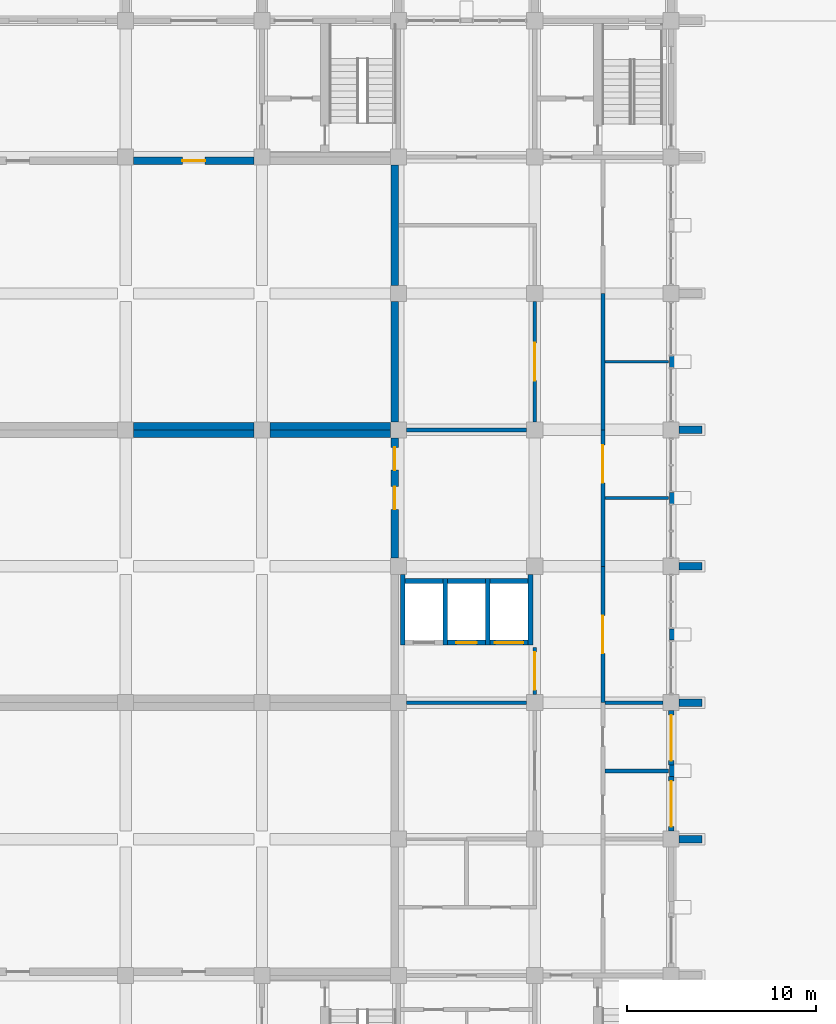
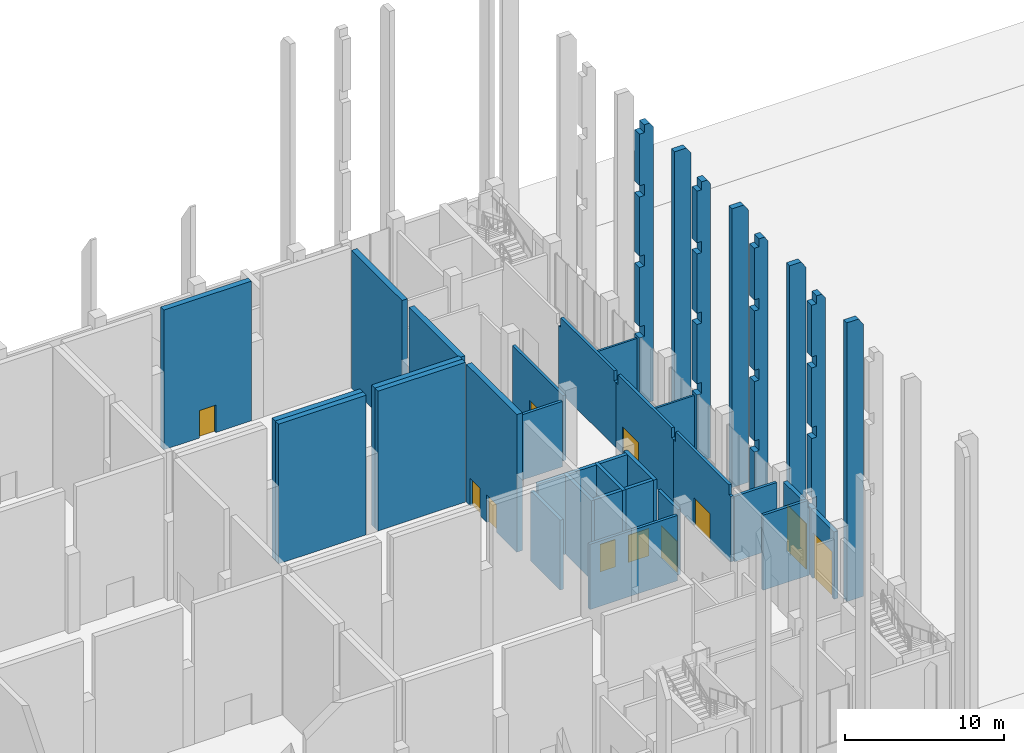
# One storey, part 38 of 50: 38 walls, 11 doors, 11 openings.
"""IFC4 building model written with IfcOpenShell, lengths in metres."""

from ifc_helpers import new_model, si_unit, direction, frame, frame_2d, origin, place, context, subcontext, project, spatial, polyline, rectangle, outline, extrude, material, layer, layer_set, type_object, element, fill, save


model = new_model("IFC4")

# Units and contexts
model_context = context("Model", 3, precision=1e-05, world=origin(), true_north=direction((0.0, 1.0)))
body_context = subcontext(model_context, "Body", "Model", "MODEL_VIEW")
ifc_project = project(units=[si_unit("LENGTHUNIT", "METRE"), si_unit("AREAUNIT", "SQUARE_METRE"), si_unit("VOLUMEUNIT", "CUBIC_METRE"), si_unit("PLANEANGLEUNIT", "RADIAN"), si_unit("MASSUNIT", "GRAM", prefix="KILO")], contexts=[model_context])

# Site, building, storey
site_placement = place(None, origin())
site = spatial("IfcSite", under=ifc_project, at=site_placement, CompositionType="ELEMENT")
building_placement = place(site_placement, origin())
building = spatial("IfcBuilding", under=site, at=building_placement, Name="Silangan Lancet Faculty of Sciences", CompositionType="ELEMENT")
storey_placement = place(building_placement, origin())
storey = spatial("IfcBuildingStorey", under=building, at=storey_placement, Name="L00", CompositionType="ELEMENT", Elevation=0.0)

# Wall, opening, door
ifc_material_1 = material(Name="Concrete C40/50 precast", Category="concrete")
ifc_layer_1 = layer(ifc_material_1, 0.300048828125)
ifc_layer_set_1 = layer_set([ifc_layer_1], Name="Concrete C40/50 precast")
wall_type_1 = type_object("IfcWallType", Name="EW1 Precast cladding wall", PredefinedType="STANDARD", material=ifc_layer_set_1)
wall_1_placement = place(storey_placement, frame((86.39990234375, 14.824951171875, 0.0), z_axis=(0.0, 0.0, 1.0), x_axis=(0.0, 1.0, 0.0)))
wall_1 = element("IfcWall", 1, at=wall_1_placement, inside=storey, type_object=wall_type_1, Name="EW-L00-E-EB-m02", PredefinedType="STANDARD", context=body_context, shape_type="SweptSolid", body=[
    extrude(rectangle(XDim=2.875, YDim=0.300048828125, at=frame_2d((1.4375, 0.0))), origin(), (0.0, 0.0, 1.0), 5.14990234375),
])
opening_1_placement = place(wall_1_placement, frame((0.237548828125, 0.0, 0.0)))
opening_1 = element("IfcOpeningElement", 2, at=opening_1_placement, cuts=wall_1, Name="Opening L00-917", PredefinedType="OPENING", context=body_context, shape_type="SweptSolid", body=[
    extrude(rectangle(XDim=2.39990234375, YDim=3.5, at=frame_2d((1.199951171875, 1.75))), frame((0.0, 0.159912109375, 0.0), z_axis=(0.0, -1.0, 0.0), x_axis=(1.0, 0.0, 0.0)), (0.0, 0.0, 1.0), 0.320068359375),
])
ifc_material_2 = material(Name="Steel roller shutter, insulated", Category="steel")
door_type_1 = type_object("IfcDoorType", Name="XD6 Loading dock door 2400 x 3500", OperationType="ROLLINGUP", PredefinedType="DOOR", material=ifc_material_2)
door_1_placement = place(opening_1_placement, frame((2.39990234375, 0.0, 0.0), z_axis=(0.0, 0.0, 1.0), x_axis=(-1.0, 0.0, 0.0)))
door_1 = element("IfcDoor", 3, at=door_1_placement, inside=storey, type_object=door_type_1, Name="DOOR-L00-917", OperationType="ROLLINGUP", OverallHeight=3.5, OverallWidth=2.39990234375, PredefinedType="DOOR", context=body_context, shape_type="SweptSolid", body=[
    extrude(rectangle(XDim=2.39990234375, YDim=3.5, at=frame_2d((1.199951171875, 1.75))), frame((0.0, 0.025146484375, 0.0), z_axis=(0.0, -1.0, 0.0), x_axis=(1.0, 0.0, 0.0)), (0.0, 0.0, 1.0), 0.050048828125),
])
fill(opening_1, door_1)

wall_2_placement = place(storey_placement, frame((86.39990234375, 18.300048828125, 0.0), z_axis=(0.0, 0.0, 1.0), x_axis=(0.0, 1.0, 0.0)))
wall_2 = element("IfcWall", 4, at=wall_2_placement, inside=storey, type_object=wall_type_1, Name="EW-L00-E-EB-m03", PredefinedType="STANDARD", context=body_context, shape_type="SweptSolid", body=[
    extrude(rectangle(XDim=2.875, YDim=0.300048828125, at=frame_2d((1.4375, 0.0))), origin(), (0.0, 0.0, 1.0), 5.14990234375),
])
opening_2_placement = place(wall_2_placement, frame((0.237548828125, 0.0, 0.0)))
opening_2 = element("IfcOpeningElement", 5, at=opening_2_placement, cuts=wall_2, Name="Opening L00-918", PredefinedType="OPENING", context=body_context, shape_type="SweptSolid", body=[
    extrude(rectangle(XDim=2.39990234375, YDim=3.5, at=frame_2d((1.199951171875, 1.75))), frame((0.0, 0.159912109375, 0.0), z_axis=(0.0, -1.0, 0.0), x_axis=(1.0, 0.0, 0.0)), (0.0, 0.0, 1.0), 0.320068359375),
])
door_2_placement = place(opening_2_placement, frame((2.39990234375, 0.0, 0.0), z_axis=(0.0, 0.0, 1.0), x_axis=(-1.0, 0.0, 0.0)))
door_2 = element("IfcDoor", 6, at=door_2_placement, inside=storey, type_object=door_type_1, Name="DOOR-L00-918", OperationType="ROLLINGUP", OverallHeight=3.5, OverallWidth=2.39990234375, PredefinedType="DOOR", context=body_context, shape_type="SweptSolid", body=[
    extrude(rectangle(XDim=2.39990234375, YDim=3.5, at=frame_2d((1.199951171875, 1.75))), frame((0.0, 0.025146484375, 0.0), z_axis=(0.0, -1.0, 0.0), x_axis=(1.0, 0.0, 0.0)), (0.0, 0.0, 1.0), 0.050048828125),
])
fill(opening_2, door_2)

# Walls
ifc_material_3 = material(Name="Concrete C40/50 precast", Category="concrete")
ifc_layer_2 = layer(ifc_material_3, 0.60009765625)
ifc_layer_set_2 = layer_set([ifc_layer_2], Name="Concrete C40/50 precast")
wall_type_2 = type_object("IfcWallType", Name="FN1 Buttress Fin mid-bay stage 1 21350", PredefinedType="POLYGONAL", material=ifc_layer_set_2)
for number, where, z_axis, x_axis, name in (
    (7, (86.300048828125, 18.0, 0.0), (0.0, 0.0, 1.0), (1.0, 0.0, 0.0), "FIN-E-EB-3"),
    (8, (86.300048828125, 25.199951171875, 0.0), (0.0, 0.0, 1.0), (1.0, 0.0, 0.0), "FIN-E-EB-5"),
    (9, (86.300048828125, 32.39990234375, 0.0), (0.0, 0.0, 1.0), (1.0, 0.0, 0.0), "FIN-E-EB-7"),
    (10, (86.300048828125, 39.60009765625, 0.0), (0.0, 0.0, 1.0), (1.0, 0.0, 0.0), "FIN-E-EB-9"),
):
    element("IfcWall", number, at=place(storey_placement, frame(where, z_axis=z_axis, x_axis=x_axis)), inside=storey, type_object=wall_type_2, Name=name, PredefinedType="POLYGONAL", context=body_context, shape_type="SweptSolid", body=[
        extrude(outline(polyline([(1.0, 0.0), (1.0, 20.97509765625), (0.75, 21.35009765625), (0.35009765625, 21.35009765625), (0.35009765625, 20.75), (0.0, 20.75), (0.0, 16.800048828125), (0.35009765625, 16.800048828125), (0.35009765625, 15.949951171875), (0.0, 15.949951171875), (0.0, 11.39990234375), (0.35009765625, 11.39990234375), (0.35009765625, 10.550048828125), (0.0, 10.550048828125), (0.0, 6.0), (0.35009765625, 6.0), (0.35009765625, 5.14990234375), (0.0, 5.14990234375), (0.0, 0.0), (1.0, 0.0)])), frame((0.0, 0.300048828125, 0.0), z_axis=(0.0, -1.0, 0.0), x_axis=(1.0, 0.0, 0.0)), (0.0, 0.0, 1.0), 0.60009765625),
    ])
ifc_material_4 = material(Name="Concrete C40/50 precast", Category="concrete")
ifc_layer_3 = layer(ifc_material_4, 0.39990234375)
ifc_layer_set_3 = layer_set([ifc_layer_3], Name="Concrete C40/50 precast")
wall_type_3 = type_object("IfcWallType", Name="FN55 Buttress Fin column line stage 1 21350", PredefinedType="POLYGONAL", material=ifc_layer_set_3)
for number, where, z_axis, x_axis, name in (
    (11, (86.824951171875, 14.39990234375, 0.0), (0.0, 0.0, 1.0), (1.0, 0.0, 0.0), "FINC-E-EB-03"),
    (12, (86.824951171875, 21.60009765625, 0.0), (0.0, 0.0, 1.0), (1.0, 0.0, 0.0), "FINC-E-EB-04"),
    (13, (86.824951171875, 28.800048828125, 0.0), (0.0, 0.0, 1.0), (1.0, 0.0, 0.0), "FINC-E-EB-05"),
    (14, (86.824951171875, 36.0, 0.0), (0.0, 0.0, 1.0), (1.0, 0.0, 0.0), "FINC-E-EB-06"),
):
    element("IfcWall", number, at=place(storey_placement, frame(where, z_axis=z_axis, x_axis=x_axis)), inside=storey, type_object=wall_type_3, Name=name, PredefinedType="POLYGONAL", context=body_context, shape_type="SweptSolid", body=[
        extrude(outline(polyline([(1.199951171875, 0.0), (1.199951171875, 20.824951171875), (0.85009765625, 21.35009765625), (0.0, 21.35009765625), (0.0, 0.0), (1.199951171875, 0.0)])), frame((0.0, 0.199951171875, 0.0), z_axis=(0.0, -1.0, 0.0), x_axis=(1.0, 0.0, 0.0)), (0.0, 0.0, 1.0), 0.39990234375),
    ])
ifc_material_5 = material(Name="Hollow block masonry fm 7 MPa", Category="masonry")
ifc_layer_4 = layer(ifc_material_5, 0.199951171875)
ifc_layer_set_4 = layer_set([ifc_layer_4], Name="Hollow block masonry fm 7 MPa")
wall_type_4 = type_object("IfcWallType", Name="Interior wall PW1 Corridor wall CHB 200", PredefinedType="PARTITIONING", material=ifc_layer_set_4)
wall_3_placement = place(storey_placement, frame((72.425048828125, 36.0, 0.0), z_axis=(0.0, 0.0, 1.0), x_axis=(1.0, 0.0, 0.0)))
element("IfcWall", 15, at=wall_3_placement, inside=storey, type_object=wall_type_4, Name="Corridor wall CHB 200", PredefinedType="PARTITIONING", context=body_context, shape_type="SweptSolid", body=[
    extrude(rectangle(XDim=6.349853515625, YDim=0.199951171875, at=frame_2d((3.1748046875, 0.0))), origin(), (0.0, 0.0, 1.0), 5.0),
])

# Wall, opening, door
wall_4_placement = place(storey_placement, frame((79.199951171875, 36.425048828125, 0.0), z_axis=(0.0, 0.0, 1.0), x_axis=(0.0, 1.0, 0.0)))
wall_4 = element("IfcWall", 16, at=wall_4_placement, inside=storey, type_object=wall_type_4, Name="Corridor wall CHB 200", PredefinedType="PARTITIONING", context=body_context, shape_type="SweptSolid", body=[
    extrude(rectangle(XDim=6.349853515625, YDim=0.199951171875, at=frame_2d((3.1748046875, 0.0))), origin(), (0.0, 0.0, 1.0), 5.0),
])
opening_3_placement = place(wall_4_placement, frame((2.175048828125, 0.0, 0.0)))
opening_3 = element("IfcOpeningElement", 17, at=opening_3_placement, cuts=wall_4, Name="Opening L00-027", PredefinedType="OPENING", context=body_context, shape_type="SweptSolid", body=[
    extrude(rectangle(XDim=2.0, YDim=2.10009765625, at=frame_2d((1.0, 1.050048828125))), frame((0.0, 0.10986328125, 0.0), z_axis=(0.0, -1.0, 0.0), x_axis=(1.0, 0.0, 0.0)), (0.0, 0.0, 1.0), 0.219970703125),
])
ifc_material_6 = material(Name="Steel fire door set", Category="steel")
door_type_2 = type_object("IfcDoorType", Name="Door D4 Double leaf fire door 2000 x 2100", OperationType="DOUBLE_DOOR_SINGLE_SWING", PredefinedType="DOOR", material=ifc_material_6)
door_3_placement = place(opening_3_placement, origin())
door_3 = element("IfcDoor", 18, at=door_3_placement, inside=storey, type_object=door_type_2, Name="Double leaf fire door 2000 x 2100", OperationType="DOUBLE_DOOR_SINGLE_SWING", OverallHeight=2.10009765625, OverallWidth=2.0, PredefinedType="DOOR", context=body_context, shape_type="SweptSolid", body=[
    extrude(rectangle(XDim=2.0, YDim=2.10009765625, at=frame_2d((1.0, 1.050048828125))), frame((0.0, 0.02490234375, 0.0), z_axis=(0.0, -1.0, 0.0), x_axis=(1.0, 0.0, 0.0)), (0.0, 0.0, 1.0), 0.050048828125),
])
fill(opening_3, door_3)

wall_5_placement = place(storey_placement, frame((82.800048828125, 21.60009765625, 0.0), z_axis=(0.0, 0.0, 1.0), x_axis=(0.0, 1.0, 0.0)))
wall_5 = element("IfcWall", 19, at=wall_5_placement, inside=storey, type_object=wall_type_4, Name="Corridor wall CHB 200", PredefinedType="PARTITIONING", context=body_context, shape_type="SweptSolid", body=[
    extrude(outline(polyline([(0.0, 0.0), (7.199951171875, 0.0), (7.199951171875, 5.0), (6.949951171875, 5.0), (6.949951171875, 5.75), (0.25, 5.75), (0.25, 5.0), (0.0, 5.0), (0.0, 0.0)])), frame((0.0, 0.10009765625, 0.0), z_axis=(0.0, -1.0, 0.0), x_axis=(1.0, 0.0, 0.0)), (0.0, 0.0, 1.0), 0.199951171875),
])
opening_4_placement = place(wall_5_placement, frame((2.60009765625, 0.0, 0.0)))
opening_4 = element("IfcOpeningElement", 20, at=opening_4_placement, cuts=wall_5, Name="Opening L00-032", PredefinedType="OPENING", context=body_context, shape_type="SweptSolid", body=[
    extrude(rectangle(XDim=2.0, YDim=2.10009765625, at=frame_2d((1.0, 1.050048828125))), frame((0.0, 0.10986328125, 0.0), z_axis=(0.0, -1.0, 0.0), x_axis=(1.0, 0.0, 0.0)), (0.0, 0.0, 1.0), 0.219970703125),
])
door_4_placement = place(opening_4_placement, origin())
door_4 = element("IfcDoor", 21, at=door_4_placement, inside=storey, type_object=door_type_2, Name="Double leaf fire door 2000 x 2100", OperationType="DOUBLE_DOOR_SINGLE_SWING", OverallHeight=2.10009765625, OverallWidth=2.0, PredefinedType="DOOR", context=body_context, shape_type="SweptSolid", body=[
    extrude(rectangle(XDim=2.0, YDim=2.10009765625, at=frame_2d((1.0, 1.050048828125))), frame((0.0, 0.02490234375, 0.0), z_axis=(0.0, -1.0, 0.0), x_axis=(1.0, 0.0, 0.0)), (0.0, 0.0, 1.0), 0.050048828125),
])
fill(opening_4, door_4)

wall_6_placement = place(storey_placement, frame((82.800048828125, 28.800048828125, 0.0), z_axis=(0.0, 0.0, 1.0), x_axis=(0.0, 1.0, 0.0)))
wall_6 = element("IfcWall", 22, at=wall_6_placement, inside=storey, type_object=wall_type_4, Name="Corridor wall CHB 200", PredefinedType="PARTITIONING", context=body_context, shape_type="SweptSolid", body=[
    extrude(outline(polyline([(0.0, 0.0), (7.199951171875, 0.0), (7.199951171875, 5.0), (6.949951171875, 5.0), (6.949951171875, 5.75), (0.25, 5.75), (0.25, 5.0), (0.0, 5.0), (0.0, 0.0)])), frame((0.0, 0.10009765625, 0.0), z_axis=(0.0, -1.0, 0.0), x_axis=(1.0, 0.0, 0.0)), (0.0, 0.0, 1.0), 0.199951171875),
])
opening_5_placement = place(wall_6_placement, frame((4.39990234375, 0.0, 0.0)))
opening_5 = element("IfcOpeningElement", 23, at=opening_5_placement, cuts=wall_6, Name="Opening L00-033", PredefinedType="OPENING", context=body_context, shape_type="SweptSolid", body=[
    extrude(rectangle(XDim=2.0, YDim=2.10009765625, at=frame_2d((1.0, 1.050048828125))), frame((0.0, 0.10986328125, 0.0), z_axis=(0.0, -1.0, 0.0), x_axis=(1.0, 0.0, 0.0)), (0.0, 0.0, 1.0), 0.219970703125),
])
door_5_placement = place(opening_5_placement, origin())
door_5 = element("IfcDoor", 24, at=door_5_placement, inside=storey, type_object=door_type_2, Name="Double leaf fire door 2000 x 2100", OperationType="DOUBLE_DOOR_SINGLE_SWING", OverallHeight=2.10009765625, OverallWidth=2.0, PredefinedType="DOOR", context=body_context, shape_type="SweptSolid", body=[
    extrude(rectangle(XDim=2.0, YDim=2.10009765625, at=frame_2d((1.0, 1.050048828125))), frame((0.0, 0.02490234375, 0.0), z_axis=(0.0, -1.0, 0.0), x_axis=(1.0, 0.0, 0.0)), (0.0, 0.0, 1.0), 0.050048828125),
])
fill(opening_5, door_5)

# Walls
wall_7_placement = place(storey_placement, frame((82.800048828125, 36.0, 0.0), z_axis=(0.0, 0.0, 1.0), x_axis=(0.0, 1.0, 0.0)))
element("IfcWall", 25, at=wall_7_placement, inside=storey, type_object=wall_type_4, Name="Corridor wall CHB 200", PredefinedType="PARTITIONING", context=body_context, shape_type="SweptSolid", body=[
    extrude(outline(polyline([(0.0, 0.0), (7.199951171875, 0.0), (7.199951171875, 5.0), (6.949951171875, 5.0), (6.949951171875, 5.75), (0.25, 5.75), (0.25, 5.0), (0.0, 5.0), (0.0, 0.0)])), frame((0.0, 0.10009765625, 0.0), z_axis=(0.0, -1.0, 0.0), x_axis=(1.0, 0.0, 0.0)), (0.0, 0.0, 1.0), 0.199951171875),
])
ifc_material_7 = material(Name="Concrete C35/45", Category="concrete")
ifc_layer_5 = layer(ifc_material_7, 0.39990234375)
ifc_layer_set_5 = layer_set([ifc_layer_5], Name="Concrete C35/45")
wall_type_5 = type_object("IfcWallType", Name="Interior wall PW10 Theatre box wall RC 400", PredefinedType="SOLIDWALL", material=ifc_layer_set_5)
wall_8_placement = place(storey_placement, frame((58.02490234375, 35.800048828125, 0.0), z_axis=(0.0, 0.0, 1.0), x_axis=(1.0, 0.0, 0.0)))
element("IfcWall", 26, at=wall_8_placement, inside=storey, type_object=wall_type_5, Name="Theatre box wall RC 400", PredefinedType="SOLIDWALL", context=body_context, shape_type="SweptSolid", body=[
    extrude(rectangle(XDim=6.35009765625, YDim=0.39990234375, at=frame_2d((3.175048828125, 0.0))), origin(), (0.0, 0.0, 1.0), 10.699951171875),
])
wall_9_placement = place(storey_placement, frame((65.22509765625, 35.800048828125, 0.0), z_axis=(0.0, 0.0, 1.0), x_axis=(1.0, 0.0, 0.0)))
element("IfcWall", 27, at=wall_9_placement, inside=storey, type_object=wall_type_5, Name="Theatre box wall RC 400", PredefinedType="SOLIDWALL", context=body_context, shape_type="SweptSolid", body=[
    extrude(rectangle(XDim=6.349853515625, YDim=0.39990234375, at=frame_2d((3.1748046875, 0.0))), origin(), (0.0, 0.0, 1.0), 10.699951171875),
])
wall_10_placement = place(storey_placement, frame((58.02490234375, 36.199951171875, 0.0), z_axis=(0.0, 0.0, 1.0), x_axis=(1.0, 0.0, 0.0)))
element("IfcWall", 28, at=wall_10_placement, inside=storey, type_object=wall_type_5, Name="Theatre box wall RC 400", PredefinedType="SOLIDWALL", context=body_context, shape_type="SweptSolid", body=[
    extrude(rectangle(XDim=6.35009765625, YDim=0.39990234375, at=frame_2d((3.175048828125, 0.0))), origin(), (0.0, 0.0, 1.0), 10.699951171875),
])
wall_11_placement = place(storey_placement, frame((65.22509765625, 36.199951171875, 0.0), z_axis=(0.0, 0.0, 1.0), x_axis=(1.0, 0.0, 0.0)))
element("IfcWall", 29, at=wall_11_placement, inside=storey, type_object=wall_type_5, Name="Theatre box wall RC 400", PredefinedType="SOLIDWALL", context=body_context, shape_type="SweptSolid", body=[
    extrude(rectangle(XDim=6.349853515625, YDim=0.39990234375, at=frame_2d((3.1748046875, 0.0))), origin(), (0.0, 0.0, 1.0), 10.699951171875),
])

# Wall, opening, door
wall_12_placement = place(storey_placement, frame((58.02490234375, 50.199951171875, 0.0), z_axis=(0.0, 0.0, 1.0), x_axis=(1.0, 0.0, 0.0)))
wall_12 = element("IfcWall", 30, at=wall_12_placement, inside=storey, type_object=wall_type_5, Name="Theatre box wall RC 400", PredefinedType="SOLIDWALL", context=body_context, shape_type="SweptSolid", body=[
    extrude(rectangle(XDim=6.35009765625, YDim=0.39990234375, at=frame_2d((3.175048828125, 0.0))), origin(), (0.0, 0.0, 1.0), 10.699951171875),
])
opening_6_placement = place(wall_12_placement, frame((2.574951171875, 0.0, 0.0)))
opening_6 = element("IfcOpeningElement", 31, at=opening_6_placement, cuts=wall_12, Name="Opening L00-015", PredefinedType="OPENING", context=body_context, shape_type="SweptSolid", body=[
    extrude(rectangle(XDim=1.199951171875, YDim=2.10009765625, at=frame_2d((0.60009765625, 1.050048828125))), frame((0.0, 0.2099609375, 0.0), z_axis=(0.0, -1.0, 0.0), x_axis=(1.0, 0.0, 0.0)), (0.0, 0.0, 1.0), 0.419921875),
])
ifc_material_8 = material(Name="Steel fire door set", Category="steel")
door_type_3 = type_object("IfcDoorType", Name="Door D3 Theatre exit door 1200 x 2100", OperationType="SINGLE_SWING_RIGHT", PredefinedType="DOOR", material=ifc_material_8)
door_6_placement = place(opening_6_placement, origin())
door_6 = element("IfcDoor", 32, at=door_6_placement, inside=storey, type_object=door_type_3, Name="Theatre exit door 1200 x 2100", OperationType="SINGLE_SWING_RIGHT", OverallHeight=2.10009765625, OverallWidth=1.199951171875, PredefinedType="DOOR", context=body_context, shape_type="SweptSolid", body=[
    extrude(rectangle(XDim=1.199951171875, YDim=2.10009765625, at=frame_2d((0.60009765625, 1.050048828125))), frame((0.0, 0.02490234375, 0.0), z_axis=(0.0, -1.0, 0.0), x_axis=(1.0, 0.0, 0.0)), (0.0, 0.0, 1.0), 0.050048828125),
])
fill(opening_6, door_6)

# Wall, openings, doors
wall_13_placement = place(storey_placement, frame((71.800048828125, 29.22509765625, 0.0), z_axis=(0.0, 0.0, 1.0), x_axis=(0.0, 1.0, 0.0)))
wall_13 = element("IfcWall", 33, at=wall_13_placement, inside=storey, type_object=wall_type_5, Name="Theatre box wall RC 400", PredefinedType="SOLIDWALL", context=body_context, shape_type="SweptSolid", body=[
    extrude(rectangle(XDim=6.349853515625, YDim=0.39990234375, at=frame_2d((3.1748046875, 0.0))), origin(), (0.0, 0.0, 1.0), 10.550048828125),
])
opening_7_placement = place(wall_13_placement, frame((2.574951171875, 0.0, 0.0)))
opening_7 = element("IfcOpeningElement", 34, at=opening_7_placement, cuts=wall_13, Name="Opening L00-020", PredefinedType="OPENING", context=body_context, shape_type="SweptSolid", body=[
    extrude(rectangle(XDim=1.199951171875, YDim=2.10009765625, at=frame_2d((0.60009765625, 1.050048828125))), frame((0.0, 0.2099609375, 0.0), z_axis=(0.0, -1.0, 0.0), x_axis=(1.0, 0.0, 0.0)), (0.0, 0.0, 1.0), 0.419921875),
])
opening_8_placement = place(wall_13_placement, frame((4.64990234375, 0.0, 0.0)))
opening_8 = element("IfcOpeningElement", 35, at=opening_8_placement, cuts=wall_13, Name="Opening L00-021", PredefinedType="OPENING", context=body_context, shape_type="SweptSolid", body=[
    extrude(rectangle(XDim=1.199951171875, YDim=2.10009765625, at=frame_2d((0.60009765625, 1.050048828125))), frame((0.0, 0.2099609375, 0.0), z_axis=(0.0, -1.0, 0.0), x_axis=(1.0, 0.0, 0.0)), (0.0, 0.0, 1.0), 0.419921875),
])
door_7_placement = place(opening_7_placement, frame((1.199951171875, 0.0, 0.0), z_axis=(0.0, 0.0, 1.0), x_axis=(-1.0, 0.0, 0.0)))
door_7 = element("IfcDoor", 36, at=door_7_placement, inside=storey, type_object=door_type_3, Name="Theatre exit door 1200 x 2100", OperationType="SINGLE_SWING_LEFT", OverallHeight=2.10009765625, OverallWidth=1.199951171875, PredefinedType="DOOR", context=body_context, shape_type="SweptSolid", body=[
    extrude(rectangle(XDim=1.199951171875, YDim=2.10009765625, at=frame_2d((0.60009765625, 1.050048828125))), frame((0.0, 0.025146484375, 0.0), z_axis=(0.0, -1.0, 0.0), x_axis=(1.0, 0.0, 0.0)), (0.0, 0.0, 1.0), 0.050048828125),
])
fill(opening_7, door_7)
door_8_placement = place(opening_8_placement, frame((1.199951171875, 0.0, 0.0), z_axis=(0.0, 0.0, 1.0), x_axis=(-1.0, 0.0, 0.0)))
door_8 = element("IfcDoor", 37, at=door_8_placement, inside=storey, type_object=door_type_3, Name="Theatre exit door 1200 x 2100", OperationType="SINGLE_SWING_LEFT", OverallHeight=2.10009765625, OverallWidth=1.199951171875, PredefinedType="DOOR", context=body_context, shape_type="SweptSolid", body=[
    extrude(rectangle(XDim=1.199951171875, YDim=2.10009765625, at=frame_2d((0.60009765625, 1.050048828125))), frame((0.0, 0.025146484375, 0.0), z_axis=(0.0, -1.0, 0.0), x_axis=(1.0, 0.0, 0.0)), (0.0, 0.0, 1.0), 0.050048828125),
])
fill(opening_8, door_8)

# Walls
wall_14_placement = place(storey_placement, frame((71.800048828125, 36.425048828125, 0.0), z_axis=(0.0, 0.0, 1.0), x_axis=(0.0, 1.0, 0.0)))
element("IfcWall", 38, at=wall_14_placement, inside=storey, type_object=wall_type_5, Name="Theatre box wall RC 400", PredefinedType="SOLIDWALL", context=body_context, shape_type="SweptSolid", body=[
    extrude(rectangle(XDim=6.349853515625, YDim=0.39990234375, at=frame_2d((3.1748046875, 0.0))), origin(), (0.0, 0.0, 1.0), 10.550048828125),
])
wall_15_placement = place(storey_placement, frame((71.800048828125, 43.625, 0.0), z_axis=(0.0, 0.0, 1.0), x_axis=(0.0, 1.0, 0.0)))
element("IfcWall", 39, at=wall_15_placement, inside=storey, type_object=wall_type_5, Name="Theatre box wall RC 400", PredefinedType="SOLIDWALL", context=body_context, shape_type="SweptSolid", body=[
    extrude(rectangle(XDim=6.35009765625, YDim=0.39990234375, at=frame_2d((3.175048828125, 0.0))), origin(), (0.0, 0.0, 1.0), 10.550048828125),
])
ifc_material_9 = material(Name="Hollow block masonry fm 7 MPa", Category="masonry")
ifc_layer_6 = layer(ifc_material_9, 0.14990234375)
ifc_layer_set_6 = layer_set([ifc_layer_6], Name="Hollow block masonry fm 7 MPa")
wall_type_6 = type_object("IfcWallType", Name="Interior wall PW3 Partition CHB 150", PredefinedType="PARTITIONING", material=ifc_layer_set_6)
for number, where, z_axis, x_axis, name in (
    (40, (82.89990234375, 32.39990234375, 0.0), (0.0, 0.0, 1.0), (1.0, 0.0, 0.0), "Partition CHB 150"),
    (41, (82.89990234375, 39.60009765625, 0.0), (0.0, 0.0, 1.0), (1.0, 0.0, 0.0), "Partition CHB 150"),
):
    element("IfcWall", number, at=place(storey_placement, frame(where, z_axis=z_axis, x_axis=x_axis)), inside=storey, type_object=wall_type_6, Name=name, PredefinedType="PARTITIONING", context=body_context, shape_type="SweptSolid", body=[
        extrude(rectangle(XDim=3.35009765625, YDim=0.14990234375, at=frame_2d((1.675048828125, 0.0))), origin(), (0.0, 0.0, 1.0), 5.0),
    ])
ifc_material_10 = material(Name="Hollow block masonry fm 7 MPa", Category="masonry")
ifc_layer_7 = layer(ifc_material_10, 0.199951171875)
ifc_layer_set_7 = layer_set([ifc_layer_7], Name="Hollow block masonry fm 7 MPa")
wall_type_7 = type_object("IfcWallType", Name="Interior wall PW4 Laboratory separation CHB 200", PredefinedType="PARTITIONING", material=ifc_layer_set_7)
wall_16_placement = place(storey_placement, frame((82.89990234375, 18.0, 0.0), z_axis=(0.0, 0.0, 1.0), x_axis=(1.0, 0.0, 0.0)))
element("IfcWall", 42, at=wall_16_placement, inside=storey, type_object=wall_type_7, Name="Laboratory separation CHB 200", PredefinedType="PARTITIONING", context=body_context, shape_type="SweptSolid", body=[
    extrude(outline(polyline([(0.0, 0.0), (3.35009765625, 0.0), (3.35009765625, 5.14990234375), (3.25, 5.14990234375), (3.25, 5.75), (0.0, 5.75), (0.0, 0.0)])), frame((0.0, 0.10009765625, 0.0), z_axis=(0.0, -1.0, 0.0), x_axis=(1.0, 0.0, 0.0)), (0.0, 0.0, 1.0), 0.199951171875),
])
wall_17_placement = place(storey_placement, frame((82.89990234375, 21.60009765625, 0.0), z_axis=(0.0, 0.0, 1.0), x_axis=(1.0, 0.0, 0.0)))
element("IfcWall", 43, at=wall_17_placement, inside=storey, type_object=wall_type_7, Name="Laboratory separation CHB 200", PredefinedType="PARTITIONING", context=body_context, shape_type="SweptSolid", body=[
    extrude(rectangle(XDim=3.0751953125, YDim=0.199951171875, at=frame_2d((1.53759765625, 0.0))), origin(), (0.0, 0.0, 1.0), 5.0),
])
ifc_material_11 = material(Name="Hollow block masonry fm 7 MPa", Category="masonry")
ifc_layer_8 = layer(ifc_material_11, 0.199951171875)
ifc_layer_set_8 = layer_set([ifc_layer_8], Name="Hollow block masonry fm 7 MPa")
wall_type_8 = type_object("IfcWallType", Name="Interior wall PW9 Lift lobby wall CHB 200", PredefinedType="PARTITIONING", material=ifc_layer_set_8)
wall_18_placement = place(storey_placement, frame((72.425048828125, 21.60009765625, 0.0), z_axis=(0.0, 0.0, 1.0), x_axis=(1.0, 0.0, 0.0)))
element("IfcWall", 44, at=wall_18_placement, inside=storey, type_object=wall_type_8, Name="Lift lobby wall CHB 200", PredefinedType="PARTITIONING", context=body_context, shape_type="SweptSolid", body=[
    extrude(rectangle(XDim=6.349853515625, YDim=0.199951171875, at=frame_2d((3.1748046875, 0.0))), origin(), (0.0, 0.0, 1.0), 5.0),
])

# Wall, opening, door
wall_19_placement = place(storey_placement, frame((79.199951171875, 22.02490234375, 0.0), z_axis=(0.0, 0.0, 1.0), x_axis=(0.0, 1.0, 0.0)))
wall_19 = element("IfcWall", 45, at=wall_19_placement, inside=storey, type_object=wall_type_8, Name="Lift lobby wall CHB 200", PredefinedType="PARTITIONING", context=body_context, shape_type="SweptSolid", body=[
    extrude(rectangle(XDim=2.5, YDim=0.199951171875, at=frame_2d((1.25, 0.0))), origin(), (0.0, 0.0, 1.0), 5.0),
])
opening_9_placement = place(wall_19_placement, frame((0.25, 0.0, 0.0)))
opening_9 = element("IfcOpeningElement", 46, at=opening_9_placement, cuts=wall_19, Name="Opening L00-003", PredefinedType="OPENING", context=body_context, shape_type="SweptSolid", body=[
    extrude(rectangle(XDim=2.0, YDim=2.39990234375, at=frame_2d((1.0, 1.199951171875))), frame((0.0, 0.10986328125, 0.0), z_axis=(0.0, -1.0, 0.0), x_axis=(1.0, 0.0, 0.0)), (0.0, 0.0, 1.0), 0.219970703125),
])
ifc_material_12 = material(Name="Steel fire door set", Category="steel")
door_type_4 = type_object("IfcDoorType", Name="Door D5 Lift lobby double fire door 2000 x 2400", OperationType="DOUBLE_DOOR_SINGLE_SWING", PredefinedType="DOOR", material=ifc_material_12)
door_9_placement = place(opening_9_placement, origin())
door_9 = element("IfcDoor", 47, at=door_9_placement, inside=storey, type_object=door_type_4, Name="Lift lobby double fire door 2000 x 2400", OperationType="DOUBLE_DOOR_SINGLE_SWING", OverallHeight=2.39990234375, OverallWidth=2.0, PredefinedType="DOOR", context=body_context, shape_type="SweptSolid", body=[
    extrude(rectangle(XDim=2.0, YDim=2.39990234375, at=frame_2d((1.0, 1.199951171875))), frame((0.0, 0.02490234375, 0.0), z_axis=(0.0, -1.0, 0.0), x_axis=(1.0, 0.0, 0.0)), (0.0, 0.0, 1.0), 0.050048828125),
])
fill(opening_9, door_9)

# Walls
ifc_material_13 = material(Name="Concrete C40/50", Category="concrete")
ifc_layer_9 = layer(ifc_material_13, 0.25)
ifc_layer_set_9 = layer_set([ifc_layer_9], Name="Concrete C40/50")
wall_type_9 = type_object("IfcWallType", Name="LIFT SHAFT WALL RC 250", PredefinedType="SHEAR", material=ifc_layer_set_9)
wall_20_placement = place(storey_placement, frame((72.22509765625, 24.64990234375, -0.300048828125), z_axis=(0.0, 0.0, 1.0), x_axis=(0.0, 1.0, 0.0)))
element("IfcWall", 48, at=wall_20_placement, inside=storey, type_object=wall_type_9, Name="WALL-L00-EB-SW1", PredefinedType="SHEAR", context=body_context, shape_type="SweptSolid", body=[
    extrude(rectangle(XDim=3.72509765625, YDim=0.25, at=frame_2d((1.862548828125, 0.0))), origin(), (0.0, 0.0, 1.0), 5.35009765625),
])
for number, where, z_axis, x_axis, name in (
    (49, (74.47509765625, 24.64990234375, -0.300048828125), (0.0, 0.0, 1.0), (0.0, 1.0, 0.0), "WALL-L00-EB-SW2"),
    (50, (76.72509765625, 24.64990234375, -0.300048828125), (0.0, 0.0, 1.0), (0.0, 1.0, 0.0), "WALL-L00-EB-SW3"),
):
    element("IfcWall", number, at=place(storey_placement, frame(where, z_axis=z_axis, x_axis=x_axis)), inside=storey, type_object=wall_type_9, Name=name, PredefinedType="SHEAR", context=body_context, shape_type="SweptSolid", body=[
        extrude(rectangle(XDim=3.5, YDim=0.25, at=frame_2d((1.75, 0.0))), origin(), (0.0, 0.0, 1.0), 6.050048828125),
    ])
wall_21_placement = place(storey_placement, frame((78.97509765625, 24.64990234375, -0.300048828125), z_axis=(0.0, 0.0, 1.0), x_axis=(0.0, 1.0, 0.0)))
element("IfcWall", 51, at=wall_21_placement, inside=storey, type_object=wall_type_9, Name="WALL-L00-EB-SW4", PredefinedType="SHEAR", context=body_context, shape_type="SweptSolid", body=[
    extrude(rectangle(XDim=3.72509765625, YDim=0.25, at=frame_2d((1.862548828125, 0.0))), origin(), (0.0, 0.0, 1.0), 6.050048828125),
])
wall_22_placement = place(storey_placement, frame((72.35009765625, 28.02490234375, -0.300048828125), z_axis=(0.0, 0.0, 1.0), x_axis=(1.0, 0.0, 0.0)))
element("IfcWall", 52, at=wall_22_placement, inside=storey, type_object=wall_type_9, Name="WALL-L00-EB-L1-B", PredefinedType="SHEAR", context=body_context, shape_type="SweptSolid", body=[
    extrude(rectangle(XDim=2.0, YDim=0.25, at=frame_2d((1.0, 0.0))), origin(), (0.0, 0.0, 1.0), 6.050048828125),
])

# Wall, opening, door
wall_23_placement = place(storey_placement, frame((74.60009765625, 24.77490234375, -0.300048828125), z_axis=(0.0, 0.0, 1.0), x_axis=(1.0, 0.0, 0.0)))
wall_23 = element("IfcWall", 53, at=wall_23_placement, inside=storey, type_object=wall_type_9, Name="WALL-L00-EB-L2-F", PredefinedType="SHEAR", context=body_context, shape_type="SweptSolid", body=[
    extrude(rectangle(XDim=2.0, YDim=0.25, at=frame_2d((1.0, 0.0))), origin(), (0.0, 0.0, 1.0), 6.050048828125),
])
opening_10_placement = place(wall_23_placement, frame((0.449951171875, 0.0, 0.300048828125)))
opening_10 = element("IfcOpeningElement", 54, at=opening_10_placement, cuts=wall_23, Name="Opening L00-802", PredefinedType="OPENING", context=body_context, shape_type="SweptSolid", body=[
    extrude(rectangle(XDim=1.10009765625, YDim=2.10009765625, at=frame_2d((0.550048828125, 1.050048828125))), frame((0.0, 0.135009765625, 0.0), z_axis=(0.0, -1.0, 0.0), x_axis=(1.0, 0.0, 0.0)), (0.0, 0.0, 1.0), 0.27001953125),
])
ifc_material_14 = material(Name="Stainless steel sliding door", Category="steel")
door_type_5 = type_object("IfcDoorType", Name="LD1 Lift landing door 1100x2100", OperationType="SLIDING_TO_LEFT", PredefinedType="DOOR", material=ifc_material_14)
door_10_placement = place(opening_10_placement, origin())
door_10 = element("IfcDoor", 55, at=door_10_placement, inside=storey, type_object=door_type_5, Name="Landing door EB-L2 L00", OperationType="SLIDING_TO_LEFT", OverallHeight=2.10009765625, OverallWidth=1.10009765625, PredefinedType="DOOR", context=body_context, shape_type="SweptSolid", body=[
    extrude(rectangle(XDim=1.10009765625, YDim=2.10009765625, at=frame_2d((0.550048828125, 1.050048828125))), frame((0.0, 0.02490234375, 0.0), z_axis=(0.0, -1.0, 0.0), x_axis=(1.0, 0.0, 0.0)), (0.0, 0.0, 1.0), 0.050048828125),
])
fill(opening_10, door_10)

# Wall
wall_24_placement = place(storey_placement, frame((74.60009765625, 28.02490234375, -0.300048828125), z_axis=(0.0, 0.0, 1.0), x_axis=(1.0, 0.0, 0.0)))
element("IfcWall", 56, at=wall_24_placement, inside=storey, type_object=wall_type_9, Name="WALL-L00-EB-L2-B", PredefinedType="SHEAR", context=body_context, shape_type="SweptSolid", body=[
    extrude(rectangle(XDim=2.0, YDim=0.25, at=frame_2d((1.0, 0.0))), origin(), (0.0, 0.0, 1.0), 6.050048828125),
])

# Wall, opening, door
wall_25_placement = place(storey_placement, frame((76.85009765625, 24.77490234375, -0.300048828125), z_axis=(0.0, 0.0, 1.0), x_axis=(1.0, 0.0, 0.0)))
wall_25 = element("IfcWall", 57, at=wall_25_placement, inside=storey, type_object=wall_type_9, Name="WALL-L00-EB-L3-F", PredefinedType="SHEAR", context=body_context, shape_type="SweptSolid", body=[
    extrude(rectangle(XDim=2.0, YDim=0.25, at=frame_2d((1.0, 0.0))), origin(), (0.0, 0.0, 1.0), 6.050048828125),
])
opening_11_placement = place(wall_25_placement, frame((0.25, 0.0, 0.300048828125)))
opening_11 = element("IfcOpeningElement", 58, at=opening_11_placement, cuts=wall_25, Name="Opening L00-803", PredefinedType="OPENING", context=body_context, shape_type="SweptSolid", body=[
    extrude(rectangle(XDim=1.5, YDim=2.10009765625, at=frame_2d((0.75, 1.050048828125))), frame((0.0, 0.135009765625, 0.0), z_axis=(0.0, -1.0, 0.0), x_axis=(1.0, 0.0, 0.0)), (0.0, 0.0, 1.0), 0.27001953125),
])
ifc_material_15 = material(Name="Steel sliding door", Category="steel")
door_type_6 = type_object("IfcDoorType", Name="LD2 Lift landing door 1500x2100", OperationType="SLIDING_TO_LEFT", PredefinedType="DOOR", material=ifc_material_15)
door_11_placement = place(opening_11_placement, origin())
door_11 = element("IfcDoor", 59, at=door_11_placement, inside=storey, type_object=door_type_6, Name="Landing door EB-L3 L00", OperationType="SLIDING_TO_LEFT", OverallHeight=2.10009765625, OverallWidth=1.5, PredefinedType="DOOR", context=body_context, shape_type="SweptSolid", body=[
    extrude(rectangle(XDim=1.5, YDim=2.10009765625, at=frame_2d((0.75, 1.050048828125))), frame((0.0, 0.02490234375, 0.0), z_axis=(0.0, -1.0, 0.0), x_axis=(1.0, 0.0, 0.0)), (0.0, 0.0, 1.0), 0.050048828125),
])
fill(opening_11, door_11)

# Wall
wall_26_placement = place(storey_placement, frame((76.85009765625, 28.02490234375, -0.300048828125), z_axis=(0.0, 0.0, 1.0), x_axis=(1.0, 0.0, 0.0)))
element("IfcWall", 60, at=wall_26_placement, inside=storey, type_object=wall_type_9, Name="WALL-L00-EB-L3-B", PredefinedType="SHEAR", context=body_context, shape_type="SweptSolid", body=[
    extrude(rectangle(XDim=2.0, YDim=0.25, at=frame_2d((1.0, 0.0))), origin(), (0.0, 0.0, 1.0), 6.050048828125),
])

save(model, "model.ifc")
